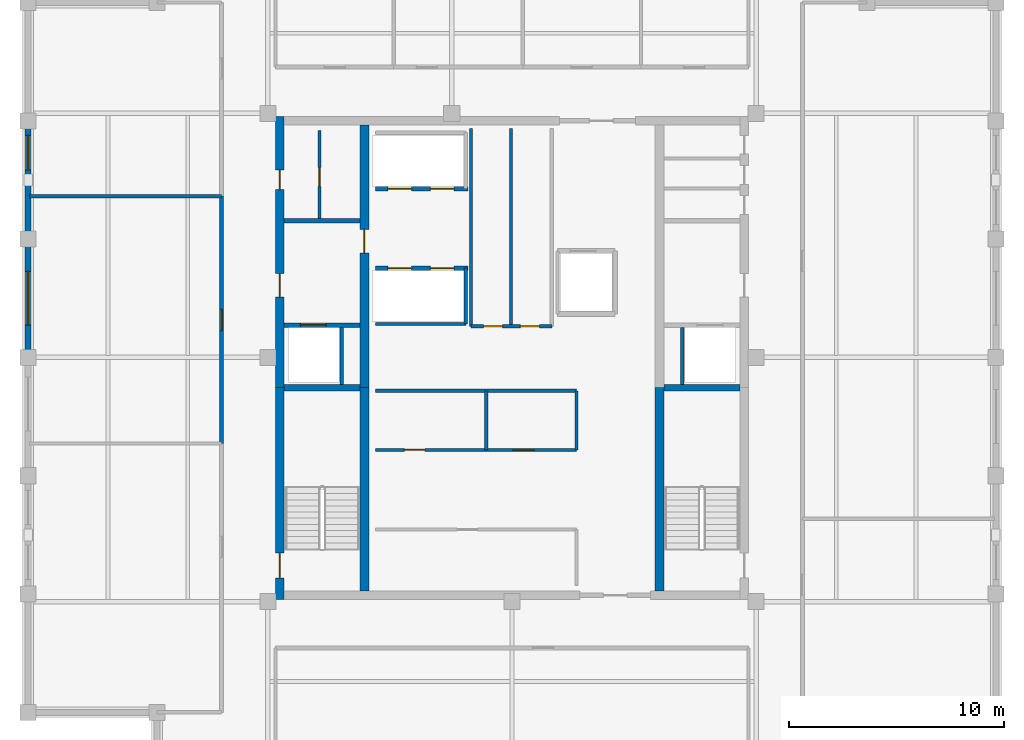
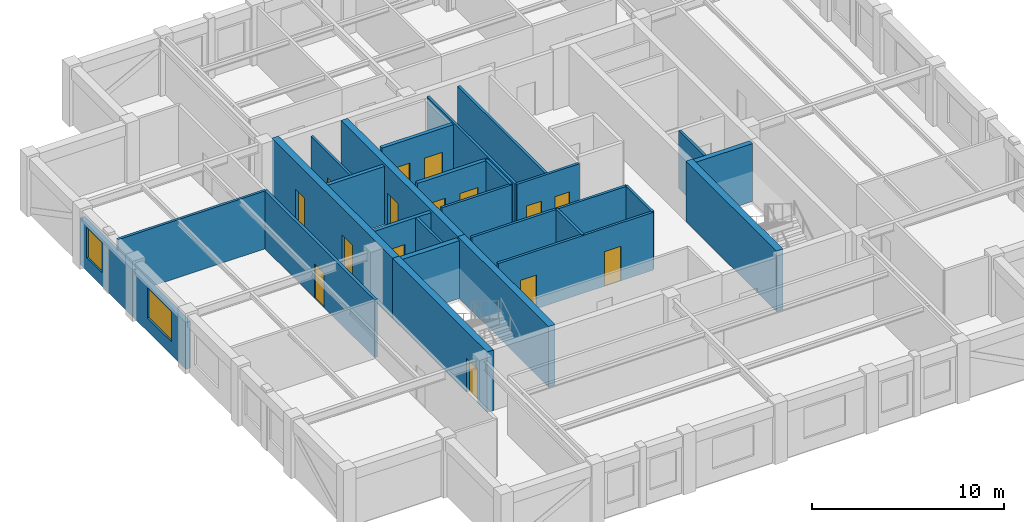
# One storey, part 4 of 7: 27 walls, 15 doors, 2 windows, 17 openings.
"""IFC4 building model written with IfcOpenShell, lengths in metres."""

from ifc_helpers import new_model, si_unit, direction, frame, frame_2d, origin, place, context, subcontext, project, spatial, rectangle, extrude, material, layer, layer_set, type_object, element, fill, save


model = new_model("IFC4")

# Units and contexts
model_context = context("Model", 3, precision=1e-05, world=origin(), true_north=direction((0.0, 1.0)))
body_context = subcontext(model_context, "Body", "Model", "MODEL_VIEW")
ifc_project = project(units=[si_unit("LENGTHUNIT", "METRE"), si_unit("AREAUNIT", "SQUARE_METRE"), si_unit("VOLUMEUNIT", "CUBIC_METRE"), si_unit("PLANEANGLEUNIT", "RADIAN"), si_unit("MASSUNIT", "GRAM", prefix="KILO")], contexts=[model_context])

# Site, building, storey
site_placement = place(None, origin())
site = spatial("IfcSite", under=ifc_project, at=site_placement, CompositionType="ELEMENT")
building_placement = place(site_placement, origin())
building = spatial("IfcBuilding", under=site, at=building_placement, Name="Nhamokura Convention Tower", CompositionType="ELEMENT")
storey_placement = place(building_placement, frame((0.0, 0.0, 281.39990234375)))
storey = spatial("IfcBuildingStorey", under=building, at=storey_placement, Name="L69", CompositionType="ELEMENT", Elevation=281.39990234375)

# Wall, opening, door
ifc_material_1 = material(Name="Moisture-resistant tile-backer partition", Category="masonry")
ifc_layer_1 = layer(ifc_material_1, 0.139892578125)
ifc_layer_set_1 = layer_set([ifc_layer_1], Name="BathroomWetWall_140")
wall_type_1 = type_object("IfcWallType", Name="BathroomWetWall_140", PredefinedType="STANDARD", material=ifc_layer_set_1)
wall_1_placement = place(storey_placement, frame((23.050048828125, 38.449951171875, 0.0), z_axis=(0.0, 0.0, 1.0), x_axis=(0.0, 1.0, 0.0)))
wall_1 = element("IfcWall", 1, at=wall_1_placement, inside=storey, type_object=wall_type_1, Name="L69 Wall INT-L69-CWNWV", PredefinedType="STANDARD", context=body_context, shape_type="SweptSolid", body=[
    extrude(rectangle(XDim=4.10009765625, YDim=0.139892578125, at=frame_2d((2.050048828125, 0.0))), origin(), (0.0, 0.0, 1.0), 3.68505859375),
])
opening_1_placement = place(wall_1_placement, frame((1.5, 0.0, 0.0)))
opening_1 = element("IfcOpeningElement", 2, at=opening_1_placement, cuts=wall_1, Name="Opening D-11", PredefinedType="OPENING", context=body_context, shape_type="SweptSolid", body=[
    extrude(rectangle(XDim=0.8798828125, YDim=2.10009765625, at=frame_2d((0.43994140625, 1.050048828125))), frame((0.0, 0.079833984375, 0.0), z_axis=(0.0, -1.0, 0.0), x_axis=(1.0, 0.0, 0.0)), (0.0, 0.0, 1.0), 0.159912109375),
])
ifc_material_2 = material(Name="Solid oak hardwood", Category="wood")
door_type_1 = type_object("IfcDoorType", Name="BathroomDoor_880", OperationType="NOTDEFINED", PredefinedType="DOOR", material=ifc_material_2)
door_1_placement = place(opening_1_placement, origin())
door_1 = element("IfcDoor", 3, at=door_1_placement, inside=storey, type_object=door_type_1, Name="L69 Inner Store Door", OperationType="SINGLE_SWING_LEFT", OverallHeight=2.10009765625, OverallWidth=0.8798828125, PredefinedType="DOOR", context=body_context, shape_type="SweptSolid", body=[
    extrude(rectangle(XDim=0.8798828125, YDim=2.10009765625, at=frame_2d((0.43994140625, 1.050048828125))), frame((0.0, 0.02490234375, 0.0), z_axis=(0.0, -1.0, 0.0), x_axis=(1.0, 0.0, 0.0)), (0.0, 0.0, 1.0), 0.050048828125),
])
fill(opening_1, door_1)

# Wall, opening, window
ifc_material_3 = material(Name="Bronze-pigmented precast concrete C45/55", Category="concrete")
ifc_layer_2 = layer(ifc_material_3, 0.280029296875)
ifc_layer_set_2 = layer_set([ifc_layer_2], Name="BronzePrecastSpandrel_280")
wall_type_2 = type_object("IfcWallType", Name="BronzePrecastSpandrel_280", PredefinedType="USERDEFINED", material=ifc_layer_set_2)
wall_2_placement = place(storey_placement, frame((9.5, 32.0, 0.0), z_axis=(0.0, 0.0, 1.0), x_axis=(0.0, 1.0, 0.0)))
wall_2 = element("IfcWall", 4, at=wall_2_placement, inside=storey, type_object=wall_type_2, Name="L69 Masonry-Frame Wall WEST 3", ObjectType="SPANDREL_WALL", PredefinedType="USERDEFINED", context=body_context, shape_type="SweptSolid", body=[
    extrude(rectangle(XDim=5.5, YDim=0.280029296875, at=frame_2d((2.75, 0.0))), origin(), (0.0, 0.0, 1.0), 2.985107421875),
])
opening_2_placement = place(wall_2_placement, frame((1.5, 0.0, 0.85009765625)))
opening_2 = element("IfcOpeningElement", 5, at=opening_2_placement, cuts=wall_2, Name="Opening W-09", PredefinedType="OPENING", context=body_context, shape_type="SweptSolid", body=[
    extrude(rectangle(XDim=2.5, YDim=1.93505859375, at=frame_2d((1.25, 0.967529296875))), frame((0.0, 0.14990234375, 0.0), z_axis=(0.0, -1.0, 0.0), x_axis=(1.0, 0.0, 0.0)), (0.0, 0.0, 1.0), 0.300048828125),
])
ifc_material_4 = material(Name="Solar-control bronze low-E double glass", Category="glass")
window_type_1 = type_object("IfcWindowType", Name="SummitWindow_Z4_2500", PartitioningType="DOUBLE_PANEL_VERTICAL", PredefinedType="WINDOW", material=ifc_material_4)
window_1_placement = place(opening_2_placement, origin())
window_1 = element("IfcWindow", 6, at=window_1_placement, inside=storey, type_object=window_type_1, Name="L69 Facade Window WEST 3", OverallHeight=1.93505859375, OverallWidth=2.5, PartitioningType="SINGLE_PANEL", PredefinedType="WINDOW", context=body_context, shape_type="SweptSolid", body=[
    extrude(rectangle(XDim=2.5, YDim=1.93505859375, at=frame_2d((1.25, 0.967529296875))), frame((0.0, 0.030029296875, 0.0), z_axis=(0.0, -1.0, 0.0), x_axis=(1.0, 0.0, 0.0)), (0.0, 0.0, 1.0), 0.06005859375),
])
fill(opening_2, window_1)

wall_3_placement = place(storey_placement, frame((9.5, 37.5, 0.0), z_axis=(0.0, 0.0, 1.0), x_axis=(0.0, 1.0, 0.0)))
wall_3 = element("IfcWall", 7, at=wall_3_placement, inside=storey, type_object=wall_type_2, Name="L69 Masonry-Frame Wall WEST 4", ObjectType="SPANDREL_WALL", PredefinedType="USERDEFINED", context=body_context, shape_type="SweptSolid", body=[
    extrude(rectangle(XDim=5.5, YDim=0.280029296875, at=frame_2d((2.75, 0.0))), origin(), (0.0, 0.0, 1.0), 2.985107421875),
])
opening_3_placement = place(wall_3_placement, frame((3.22509765625, 0.0, 0.85009765625)))
opening_3 = element("IfcOpeningElement", 8, at=opening_3_placement, cuts=wall_3, Name="Opening W-11", PredefinedType="OPENING", context=body_context, shape_type="SweptSolid", body=[
    extrude(rectangle(XDim=1.60009765625, YDim=1.93505859375, at=frame_2d((0.800048828125, 0.967529296875))), frame((0.0, 0.14990234375, 0.0), z_axis=(0.0, -1.0, 0.0), x_axis=(1.0, 0.0, 0.0)), (0.0, 0.0, 1.0), 0.300048828125),
])
ifc_material_5 = material(Name="Solar-control bronze low-E double glass", Category="glass")
window_type_2 = type_object("IfcWindowType", Name="NotchCornerWindow_1600", PartitioningType="SINGLE_PANEL", PredefinedType="WINDOW", material=ifc_material_5)
window_2_placement = place(opening_3_placement, origin())
window_2 = element("IfcWindow", 9, at=window_2_placement, inside=storey, type_object=window_type_2, Name="L69 Facade Window WEST 4-2", OverallHeight=1.93505859375, OverallWidth=1.60009765625, PartitioningType="SINGLE_PANEL", PredefinedType="WINDOW", context=body_context, shape_type="SweptSolid", body=[
    extrude(rectangle(XDim=1.60009765625, YDim=1.93505859375, at=frame_2d((0.800048828125, 0.967529296875))), frame((0.0, 0.030029296875, 0.0), z_axis=(0.0, -1.0, 0.0), x_axis=(1.0, 0.0, 0.0)), (0.0, 0.0, 1.0), 0.06005859375),
])
fill(opening_3, window_2)

# Wall, opening, door
ifc_material_6 = material(Name="Concrete C50/60", Category="concrete")
ifc_layer_3 = layer(ifc_material_6, 0.39990234375)
ifc_layer_set_3 = layer_set([ifc_layer_3], Name="CoreShearWall_400")
wall_type_3 = type_object("IfcWallType", Name="CoreShearWall_400", PredefinedType="SHEAR", material=ifc_layer_set_3)
wall_4_placement = place(storey_placement, frame((21.2099609375, 20.75, 0.0), z_axis=(0.0, 0.0, 1.0), x_axis=(0.0, 1.0, 0.0)))
wall_4 = element("IfcWall", 10, at=wall_4_placement, inside=storey, type_object=wall_type_3, Name="L69 Core Shear Wall CW-WS", PredefinedType="SHEAR", context=body_context, shape_type="SweptSolid", body=[
    extrude(rectangle(XDim=9.85009765625, YDim=0.39990234375, at=frame_2d((4.925048828125, 0.0))), origin(), (0.0, 0.0, 1.0), 3.85009765625),
])
opening_4_placement = place(wall_4_placement, frame((1.0, 0.0, 0.0)))
opening_4 = element("IfcOpeningElement", 11, at=opening_4_placement, cuts=wall_4, Name="Opening D-04", PredefinedType="OPENING", context=body_context, shape_type="SweptSolid", body=[
    extrude(rectangle(XDim=1.14990234375, YDim=2.14990234375, at=frame_2d((0.574951171875, 1.074951171875))), frame((0.0, 0.2099609375, 0.0), z_axis=(0.0, -1.0, 0.0), x_axis=(1.0, 0.0, 0.0)), (0.0, 0.0, 1.0), 0.419921875),
])
ifc_material_7 = material(Name="Fire-rated steel door", Category="steel")
door_type_2 = type_object("IfcDoorType", Name="StairSmokeDoor_1150", OperationType="NOTDEFINED", PredefinedType="DOOR", material=ifc_material_7)
door_2_placement = place(opening_4_placement, origin())
door_2 = element("IfcDoor", 12, at=door_2_placement, inside=storey, type_object=door_type_2, Name="L69 Core Door INT-L69-D-ST01", OperationType="SINGLE_SWING_LEFT", OverallHeight=2.14990234375, OverallWidth=1.14990234375, PredefinedType="DOOR", context=body_context, shape_type="SweptSolid", body=[
    extrude(rectangle(XDim=1.14990234375, YDim=2.14990234375, at=frame_2d((0.574951171875, 1.074951171875))), frame((0.0, 0.02490234375, 0.0), z_axis=(0.0, -1.0, 0.0), x_axis=(1.0, 0.0, 0.0)), (0.0, 0.0, 1.0), 0.050048828125),
])
fill(opening_4, door_2)

# Wall, openings, doors
wall_5_placement = place(storey_placement, frame((21.2099609375, 30.60009765625, 0.0), z_axis=(0.0, 0.0, 1.0), x_axis=(0.0, 1.0, 0.0)))
wall_5 = element("IfcWall", 13, at=wall_5_placement, inside=storey, type_object=wall_type_3, Name="L69 Core Shear Wall CW-WN", PredefinedType="SHEAR", context=body_context, shape_type="SweptSolid", body=[
    extrude(rectangle(XDim=12.599853515625, YDim=0.39990234375, at=frame_2d((6.2998046875, 0.0))), origin(), (0.0, 0.0, 1.0), 3.85009765625),
])
opening_5_placement = place(wall_5_placement, frame((4.199951171875, 0.0, 0.0)))
opening_5 = element("IfcOpeningElement", 14, at=opening_5_placement, cuts=wall_5, Name="Opening D-05", PredefinedType="OPENING", context=body_context, shape_type="SweptSolid", body=[
    extrude(rectangle(XDim=1.10009765625, YDim=2.14990234375, at=frame_2d((0.550048828125, 1.074951171875))), frame((0.0, 0.2099609375, 0.0), z_axis=(0.0, -1.0, 0.0), x_axis=(1.0, 0.0, 0.0)), (0.0, 0.0, 1.0), 0.419921875),
])
opening_6_placement = place(wall_5_placement, frame((9.199951171875, 0.0, 0.0)))
opening_6 = element("IfcOpeningElement", 15, at=opening_6_placement, cuts=wall_5, Name="Opening D-10", PredefinedType="OPENING", context=body_context, shape_type="SweptSolid", body=[
    extrude(rectangle(XDim=0.919921875, YDim=2.10009765625, at=frame_2d((0.4599609375, 1.050048828125))), frame((0.0, 0.2099609375, 0.0), z_axis=(0.0, -1.0, 0.0), x_axis=(1.0, 0.0, 0.0)), (0.0, 0.0, 1.0), 0.419921875),
])
ifc_material_8 = material(Name="Solid oak hardwood", Category="wood")
door_type_3 = type_object("IfcDoorType", Name="AccessibleWCDoor_920", OperationType="NOTDEFINED", PredefinedType="DOOR", material=ifc_material_8)
door_3_placement = place(opening_6_placement, origin())
door_3 = element("IfcDoor", 16, at=door_3_placement, inside=storey, type_object=door_type_3, Name="L69 Core Door INT-L69-D-AWCW", OperationType="SINGLE_SWING_RIGHT", OverallHeight=2.10009765625, OverallWidth=0.919921875, PredefinedType="DOOR", context=body_context, shape_type="SweptSolid", body=[
    extrude(rectangle(XDim=0.919921875, YDim=2.10009765625, at=frame_2d((0.4599609375, 1.050048828125))), frame((0.0, 0.02490234375, 0.0), z_axis=(0.0, -1.0, 0.0), x_axis=(1.0, 0.0, 0.0)), (0.0, 0.0, 1.0), 0.050048828125),
])
fill(opening_6, door_3)
ifc_material_9 = material(Name="Fire-rated steel door", Category="steel")
door_type_4 = type_object("IfcDoorType", Name="FireLobbyDoor_1100", OperationType="NOTDEFINED", PredefinedType="DOOR", material=ifc_material_9)
door_4_placement = place(opening_5_placement, origin())
door_4 = element("IfcDoor", 17, at=door_4_placement, inside=storey, type_object=door_type_4, Name="L69 Core Door INT-L69-D-FFLW", OperationType="SINGLE_SWING_RIGHT", OverallHeight=2.14990234375, OverallWidth=1.10009765625, PredefinedType="DOOR", context=body_context, shape_type="SweptSolid", body=[
    extrude(rectangle(XDim=1.10009765625, YDim=2.14990234375, at=frame_2d((0.550048828125, 1.074951171875))), frame((0.0, 0.02490234375, 0.0), z_axis=(0.0, -1.0, 0.0), x_axis=(1.0, 0.0, 0.0)), (0.0, 0.0, 1.0), 0.050048828125),
])
fill(opening_5, door_4)

# Wall
wall_6_placement = place(storey_placement, frame((25.139892578125, 21.14990234375, 0.0), z_axis=(0.0, 0.0, 1.0), x_axis=(0.0, 1.0, 0.0)))
element("IfcWall", 18, at=wall_6_placement, inside=storey, type_object=wall_type_3, Name="L69 Core Shear Wall CW-IWS", PredefinedType="SHEAR", context=body_context, shape_type="SweptSolid", body=[
    extrude(rectangle(XDim=9.4501953125, YDim=0.39990234375, at=frame_2d((4.72509765625, 0.0))), origin(), (0.0, 0.0, 1.0), 3.85009765625),
])

# Wall, opening, door
wall_7_placement = place(storey_placement, frame((25.139892578125, 30.60009765625, 0.0), z_axis=(0.0, 0.0, 1.0), x_axis=(0.0, 1.0, 0.0)))
wall_7 = element("IfcWall", 19, at=wall_7_placement, inside=storey, type_object=wall_type_3, Name="L69 Core Shear Wall CW-IWN", PredefinedType="SHEAR", context=body_context, shape_type="SweptSolid", body=[
    extrude(rectangle(XDim=12.199951171875, YDim=0.39990234375, at=frame_2d((6.10009765625, 0.0))), origin(), (0.0, 0.0, 1.0), 3.85009765625),
])
opening_7_placement = place(wall_7_placement, frame((6.25, 0.0, 0.0)))
opening_7 = element("IfcOpeningElement", 20, at=opening_7_placement, cuts=wall_7, Name="Opening D-05", PredefinedType="OPENING", context=body_context, shape_type="SweptSolid", body=[
    extrude(rectangle(XDim=1.10009765625, YDim=2.14990234375, at=frame_2d((0.550048828125, 1.074951171875))), frame((0.0, 0.2099609375, 0.0), z_axis=(0.0, -1.0, 0.0), x_axis=(1.0, 0.0, 0.0)), (0.0, 0.0, 1.0), 0.419921875),
])
door_5_placement = place(opening_7_placement, origin())
door_5 = element("IfcDoor", 21, at=door_5_placement, inside=storey, type_object=door_type_4, Name="L69 Core Door INT-L69-D-B3LOB", OperationType="SINGLE_SWING_LEFT", OverallHeight=2.14990234375, OverallWidth=1.10009765625, PredefinedType="DOOR", context=body_context, shape_type="SweptSolid", body=[
    extrude(rectangle(XDim=1.10009765625, YDim=2.14990234375, at=frame_2d((0.550048828125, 1.074951171875))), frame((0.0, 0.02490234375, 0.0), z_axis=(0.0, -1.0, 0.0), x_axis=(1.0, 0.0, 0.0)), (0.0, 0.0, 1.0), 0.050048828125),
])
fill(opening_7, door_5)

# Wall
wall_8_placement = place(storey_placement, frame((38.860107421875, 21.14990234375, 0.0), z_axis=(0.0, 0.0, 1.0), x_axis=(0.0, 1.0, 0.0)))
element("IfcWall", 22, at=wall_8_placement, inside=storey, type_object=wall_type_3, Name="L69 Core Shear Wall CW-IES", PredefinedType="SHEAR", context=body_context, shape_type="SweptSolid", body=[
    extrude(rectangle(XDim=9.4501953125, YDim=0.39990234375, at=frame_2d((4.72509765625, 0.0))), origin(), (0.0, 0.0, 1.0), 3.85009765625),
])

# Wall, opening, door
ifc_material_10 = material(Name="Fire-rated gypsum and masonry partition", Category="masonry")
ifc_layer_4 = layer(ifc_material_10, 0.179931640625)
ifc_layer_set_4 = layer_set([ifc_layer_4], Name="CorridorRatedWall_180")
wall_type_4 = type_object("IfcWallType", Name="CorridorRatedWall_180", PredefinedType="STANDARD", material=ifc_layer_set_4)
wall_9_placement = place(storey_placement, frame((18.5, 28.0, 0.0), z_axis=(0.0, 0.0, 1.0), x_axis=(0.0, 1.0, 0.0)))
wall_9 = element("IfcWall", 23, at=wall_9_placement, inside=storey, type_object=wall_type_4, Name="L69 Wall INT-L69-CW-W01", PredefinedType="STANDARD", context=body_context, shape_type="SweptSolid", body=[
    extrude(rectangle(XDim=11.5, YDim=0.179931640625, at=frame_2d((5.75, 0.0))), origin(), (0.0, 0.0, 1.0), 3.68505859375),
])
opening_8_placement = place(wall_9_placement, frame((5.25, 0.0, 0.0)))
opening_8 = element("IfcOpeningElement", 24, at=opening_8_placement, cuts=wall_9, Name="Opening D-08", PredefinedType="OPENING", context=body_context, shape_type="SweptSolid", body=[
    extrude(rectangle(XDim=0.97998046875, YDim=2.199951171875, at=frame_2d((0.489990234375, 1.10009765625))), frame((0.0, 0.099853515625, 0.0), z_axis=(0.0, -1.0, 0.0), x_axis=(1.0, 0.0, 0.0)), (0.0, 0.0, 1.0), 0.199951171875),
])
ifc_material_11 = material(Name="Solid oak hardwood", Category="wood")
door_type_5 = type_object("IfcDoorType", Name="OfficeEntryDoor_980", OperationType="NOTDEFINED", PredefinedType="DOOR", material=ifc_material_11)
door_6_placement = place(opening_8_placement, origin())
door_6 = element("IfcDoor", 25, at=door_6_placement, inside=storey, type_object=door_type_5, Name="L69 Private Office W02 Door", OperationType="SINGLE_SWING_RIGHT", OverallHeight=2.199951171875, OverallWidth=0.97998046875, PredefinedType="DOOR", context=body_context, shape_type="SweptSolid", body=[
    extrude(rectangle(XDim=0.97998046875, YDim=2.199951171875, at=frame_2d((0.489990234375, 1.10009765625))), frame((0.0, 0.02490234375, 0.0), z_axis=(0.0, -1.0, 0.0), x_axis=(1.0, 0.0, 0.0)), (0.0, 0.0, 1.0), 0.050048828125),
])
fill(opening_8, door_6)

ifc_material_12 = material(Name="Autoclaved concrete blockwork", Category="masonry")
ifc_layer_5 = layer(ifc_material_12, 0.219970703125)
ifc_layer_set_5 = layer_set([ifc_layer_5], Name="FireLobbyWall_220")
wall_type_5 = type_object("IfcWallType", Name="FireLobbyWall_220", PredefinedType="STANDARD", material=ifc_layer_set_5)
wall_10_placement = place(storey_placement, frame((21.409912109375, 33.5, 0.0), z_axis=(0.0, 0.0, 1.0), x_axis=(1.0, 0.0, 0.0)))
wall_10 = element("IfcWall", 26, at=wall_10_placement, inside=storey, type_object=wall_type_5, Name="L69 Wall INT-L69-FFW-S", PredefinedType="STANDARD", context=body_context, shape_type="SweptSolid", body=[
    extrude(rectangle(XDim=3.530029296875, YDim=0.219970703125, at=frame_2d((1.76513671875, 0.0))), origin(), (0.0, 0.0, 1.0), 3.68505859375),
])
opening_9_placement = place(wall_10_placement, frame((0.75, 0.0, 0.0)))
opening_9 = element("IfcOpeningElement", 27, at=opening_9_placement, cuts=wall_10, Name="Opening LD-02", PredefinedType="OPENING", context=body_context, shape_type="SweptSolid", body=[
    extrude(rectangle(XDim=1.199951171875, YDim=2.199951171875, at=frame_2d((0.60009765625, 1.10009765625))), frame((0.0, 0.119873046875, 0.0), z_axis=(0.0, -1.0, 0.0), x_axis=(1.0, 0.0, 0.0)), (0.0, 0.0, 1.0), 0.239990234375),
])
ifc_material_13 = material(Name="Anodised bronze stainless steel", Category="steel")
door_type_6 = type_object("IfcDoorType", Name="LiftLandingDoor_FireService", OperationType="DOUBLE_DOOR_SLIDING", PredefinedType="DOOR", material=ifc_material_13)
door_7_placement = place(opening_9_placement, origin())
door_7 = element("IfcDoor", 28, at=door_7_placement, inside=storey, type_object=door_type_6, Name="L69 Firefighting Lift LF-01 Door", OperationType="DOUBLE_DOOR_SLIDING", OverallHeight=2.199951171875, OverallWidth=1.199951171875, PredefinedType="DOOR", context=body_context, shape_type="SweptSolid", body=[
    extrude(rectangle(XDim=1.199951171875, YDim=2.199951171875, at=frame_2d((0.60009765625, 1.10009765625))), frame((0.0, 0.02490234375, 0.0), z_axis=(0.0, -1.0, 0.0), x_axis=(1.0, 0.0, 0.0)), (0.0, 0.0, 1.0), 0.050048828125),
])
fill(opening_9, door_7)

# Wall
wall_11_placement = place(storey_placement, frame((21.409912109375, 38.35009765625, 0.0), z_axis=(0.0, 0.0, 1.0), x_axis=(1.0, 0.0, 0.0)))
element("IfcWall", 29, at=wall_11_placement, inside=storey, type_object=wall_type_5, Name="L69 Wall INT-L69-FFW-N", PredefinedType="STANDARD", context=body_context, shape_type="SweptSolid", body=[
    extrude(rectangle(XDim=3.530029296875, YDim=0.219970703125, at=frame_2d((1.76513671875, 0.0))), origin(), (0.0, 0.0, 1.0), 3.68505859375),
])

# Wall, openings, doors
wall_12_placement = place(storey_placement, frame((25.64990234375, 36.14990234375, 0.0), z_axis=(0.0, 0.0, 1.0), x_axis=(1.0, 0.0, 0.0)))
wall_12 = element("IfcWall", 30, at=wall_12_placement, inside=storey, type_object=wall_type_5, Name="L69 Wall INT-L69-B3S", PredefinedType="STANDARD", context=body_context, shape_type="SweptSolid", body=[
    extrude(rectangle(XDim=4.300048828125, YDim=0.219970703125, at=frame_2d((2.14990234375, 0.0))), origin(), (0.0, 0.0, 1.0), 3.68505859375),
])
opening_10_placement = place(wall_12_placement, frame((0.580078125, 0.0, 0.0)))
opening_10 = element("IfcOpeningElement", 31, at=opening_10_placement, cuts=wall_12, Name="Opening LD-01", PredefinedType="OPENING", context=body_context, shape_type="SweptSolid", body=[
    extrude(rectangle(XDim=1.10009765625, YDim=2.14990234375, at=frame_2d((0.550048828125, 1.074951171875))), frame((0.0, 0.119873046875, 0.0), z_axis=(0.0, -1.0, 0.0), x_axis=(1.0, 0.0, 0.0)), (0.0, 0.0, 1.0), 0.239990234375),
])
opening_11_placement = place(wall_12_placement, frame((2.550048828125, 0.0, 0.0)))
opening_11 = element("IfcOpeningElement", 32, at=opening_11_placement, cuts=wall_12, Name="Opening LD-01", PredefinedType="OPENING", context=body_context, shape_type="SweptSolid", body=[
    extrude(rectangle(XDim=1.10009765625, YDim=2.14990234375, at=frame_2d((0.550048828125, 1.074951171875))), frame((0.0, 0.119873046875, 0.0), z_axis=(0.0, -1.0, 0.0), x_axis=(1.0, 0.0, 0.0)), (0.0, 0.0, 1.0), 0.239990234375),
])
ifc_material_14 = material(Name="Anodised bronze stainless steel", Category="steel")
door_type_7 = type_object("IfcDoorType", Name="LiftLandingDoor_Passenger", OperationType="DOUBLE_DOOR_SLIDING", PredefinedType="DOOR", material=ifc_material_14)
door_8_placement = place(opening_10_placement, origin())
door_8 = element("IfcDoor", 33, at=door_8_placement, inside=storey, type_object=door_type_7, Name="L69 Lift LP-09 Door", OperationType="DOUBLE_DOOR_SLIDING", OverallHeight=2.14990234375, OverallWidth=1.10009765625, PredefinedType="DOOR", context=body_context, shape_type="SweptSolid", body=[
    extrude(rectangle(XDim=1.10009765625, YDim=2.14990234375, at=frame_2d((0.550048828125, 1.074951171875))), frame((0.0, 0.02490234375, 0.0), z_axis=(0.0, -1.0, 0.0), x_axis=(1.0, 0.0, 0.0)), (0.0, 0.0, 1.0), 0.050048828125),
])
fill(opening_10, door_8)
door_9_placement = place(opening_11_placement, origin())
door_9 = element("IfcDoor", 34, at=door_9_placement, inside=storey, type_object=door_type_7, Name="L69 Lift LP-10 Door", OperationType="DOUBLE_DOOR_SLIDING", OverallHeight=2.14990234375, OverallWidth=1.10009765625, PredefinedType="DOOR", context=body_context, shape_type="SweptSolid", body=[
    extrude(rectangle(XDim=1.10009765625, YDim=2.14990234375, at=frame_2d((0.550048828125, 1.074951171875))), frame((0.0, 0.02490234375, 0.0), z_axis=(0.0, -1.0, 0.0), x_axis=(1.0, 0.0, 0.0)), (0.0, 0.0, 1.0), 0.050048828125),
])
fill(opening_11, door_9)

wall_13_placement = place(storey_placement, frame((25.64990234375, 39.85009765625, 0.0), z_axis=(0.0, 0.0, 1.0), x_axis=(1.0, 0.0, 0.0)))
wall_13 = element("IfcWall", 35, at=wall_13_placement, inside=storey, type_object=wall_type_5, Name="L69 Wall INT-L69-B3N", PredefinedType="STANDARD", context=body_context, shape_type="SweptSolid", body=[
    extrude(rectangle(XDim=4.300048828125, YDim=0.219970703125, at=frame_2d((2.14990234375, 0.0))), origin(), (0.0, 0.0, 1.0), 3.68505859375),
])
opening_12_placement = place(wall_13_placement, frame((0.580078125, 0.0, 0.0)))
opening_12 = element("IfcOpeningElement", 36, at=opening_12_placement, cuts=wall_13, Name="Opening LD-01", PredefinedType="OPENING", context=body_context, shape_type="SweptSolid", body=[
    extrude(rectangle(XDim=1.10009765625, YDim=2.14990234375, at=frame_2d((0.550048828125, 1.074951171875))), frame((0.0, 0.119873046875, 0.0), z_axis=(0.0, -1.0, 0.0), x_axis=(1.0, 0.0, 0.0)), (0.0, 0.0, 1.0), 0.239990234375),
])
opening_13_placement = place(wall_13_placement, frame((2.550048828125, 0.0, 0.0)))
opening_13 = element("IfcOpeningElement", 37, at=opening_13_placement, cuts=wall_13, Name="Opening LD-01", PredefinedType="OPENING", context=body_context, shape_type="SweptSolid", body=[
    extrude(rectangle(XDim=1.10009765625, YDim=2.14990234375, at=frame_2d((0.550048828125, 1.074951171875))), frame((0.0, 0.119873046875, 0.0), z_axis=(0.0, -1.0, 0.0), x_axis=(1.0, 0.0, 0.0)), (0.0, 0.0, 1.0), 0.239990234375),
])
door_10_placement = place(opening_12_placement, origin())
door_10 = element("IfcDoor", 38, at=door_10_placement, inside=storey, type_object=door_type_7, Name="L69 Lift LP-11 Door", OperationType="DOUBLE_DOOR_SLIDING", OverallHeight=2.14990234375, OverallWidth=1.10009765625, PredefinedType="DOOR", context=body_context, shape_type="SweptSolid", body=[
    extrude(rectangle(XDim=1.10009765625, YDim=2.14990234375, at=frame_2d((0.550048828125, 1.074951171875))), frame((0.0, 0.02490234375, 0.0), z_axis=(0.0, -1.0, 0.0), x_axis=(1.0, 0.0, 0.0)), (0.0, 0.0, 1.0), 0.050048828125),
])
fill(opening_12, door_10)
door_11_placement = place(opening_13_placement, origin())
door_11 = element("IfcDoor", 39, at=door_11_placement, inside=storey, type_object=door_type_7, Name="L69 Lift LP-12 Door", OperationType="DOUBLE_DOOR_SLIDING", OverallHeight=2.14990234375, OverallWidth=1.10009765625, PredefinedType="DOOR", context=body_context, shape_type="SweptSolid", body=[
    extrude(rectangle(XDim=1.10009765625, YDim=2.14990234375, at=frame_2d((0.550048828125, 1.074951171875))), frame((0.0, 0.02490234375, 0.0), z_axis=(0.0, -1.0, 0.0), x_axis=(1.0, 0.0, 0.0)), (0.0, 0.0, 1.0), 0.050048828125),
])
fill(opening_13, door_11)

# Walls
ifc_material_15 = material(Name="Acoustic gypsum stud partition", Category="masonry")
ifc_layer_6 = layer(ifc_material_15, 0.14990234375)
ifc_layer_set_6 = layer_set([ifc_layer_6], Name="InteriorPartition_150")
wall_type_6 = type_object("IfcWallType", Name="InteriorPartition_150", PredefinedType="STANDARD", material=ifc_layer_set_6)
for number, where, z_axis, x_axis, name in (
    (40, (24.080078125, 30.75, 0.0), (0.0, 0.0, 1.0), (0.0, 1.0, 0.0), "L69 Wall INT-L69-FF1-E"),
    (41, (39.919921875, 30.75, 0.0), (0.0, 0.0, 1.0), (0.0, 1.0, 0.0), "L69 Wall INT-L69-FF2-W"),
):
    element("IfcWall", number, at=place(storey_placement, frame(where, z_axis=z_axis, x_axis=x_axis)), inside=storey, type_object=wall_type_6, Name=name, PredefinedType="STANDARD", context=body_context, shape_type="SweptSolid", body=[
        extrude(rectangle(XDim=2.64990234375, YDim=0.14990234375, at=frame_2d((1.324951171875, 0.0))), origin(), (0.0, 0.0, 1.0), 3.68505859375),
    ])

# Wall, openings, doors
wall_14_placement = place(storey_placement, frame((25.64990234375, 27.699951171875, 0.0), z_axis=(0.0, 0.0, 1.0), x_axis=(1.0, 0.0, 0.0)))
wall_14 = element("IfcWall", 42, at=wall_14_placement, inside=storey, type_object=wall_type_6, Name="L69 Wall INT-L69-B2R-S", PredefinedType="STANDARD", context=body_context, shape_type="SweptSolid", body=[
    extrude(rectangle(XDim=9.35009765625, YDim=0.14990234375, at=frame_2d((4.675048828125, 0.0))), origin(), (0.0, 0.0, 1.0), 3.68505859375),
])
opening_14_placement = place(wall_14_placement, frame((1.35009765625, 0.0, 0.0)))
opening_14 = element("IfcOpeningElement", 43, at=opening_14_placement, cuts=wall_14, Name="Opening D-09", PredefinedType="OPENING", context=body_context, shape_type="SweptSolid", body=[
    extrude(rectangle(XDim=0.949951171875, YDim=2.14990234375, at=frame_2d((0.47509765625, 1.074951171875))), frame((0.0, 0.0849609375, 0.0), z_axis=(0.0, -1.0, 0.0), x_axis=(1.0, 0.0, 0.0)), (0.0, 0.0, 1.0), 0.169921875),
])
opening_15_placement = place(wall_14_placement, frame((6.39990234375, 0.0, 0.0)))
opening_15 = element("IfcOpeningElement", 44, at=opening_15_placement, cuts=wall_14, Name="Opening D-08", PredefinedType="OPENING", context=body_context, shape_type="SweptSolid", body=[
    extrude(rectangle(XDim=0.97998046875, YDim=2.199951171875, at=frame_2d((0.489990234375, 1.10009765625))), frame((0.0, 0.0849609375, 0.0), z_axis=(0.0, -1.0, 0.0), x_axis=(1.0, 0.0, 0.0)), (0.0, 0.0, 1.0), 0.169921875),
])
ifc_material_16 = material(Name="Solid oak hardwood", Category="wood")
door_type_8 = type_object("IfcDoorType", Name="MeetingRoomDoor_950", OperationType="NOTDEFINED", PredefinedType="DOOR", material=ifc_material_16)
door_12_placement = place(opening_14_placement, origin())
door_12 = element("IfcDoor", 45, at=door_12_placement, inside=storey, type_object=door_type_8, Name="L69 Caucus Suite Door", OperationType="SINGLE_SWING_RIGHT", OverallHeight=2.14990234375, OverallWidth=0.949951171875, PredefinedType="DOOR", context=body_context, shape_type="SweptSolid", body=[
    extrude(rectangle(XDim=0.949951171875, YDim=2.14990234375, at=frame_2d((0.47509765625, 1.074951171875))), frame((0.0, 0.02490234375, 0.0), z_axis=(0.0, -1.0, 0.0), x_axis=(1.0, 0.0, 0.0)), (0.0, 0.0, 1.0), 0.050048828125),
])
fill(opening_14, door_12)
door_13_placement = place(opening_15_placement, origin())
door_13 = element("IfcDoor", 46, at=door_13_placement, inside=storey, type_object=door_type_5, Name="L69 Summit Pantry Door", OperationType="SINGLE_SWING_LEFT", OverallHeight=2.199951171875, OverallWidth=0.97998046875, PredefinedType="DOOR", context=body_context, shape_type="SweptSolid", body=[
    extrude(rectangle(XDim=0.97998046875, YDim=2.199951171875, at=frame_2d((0.489990234375, 1.10009765625))), frame((0.0, 0.02490234375, 0.0), z_axis=(0.0, -1.0, 0.0), x_axis=(1.0, 0.0, 0.0)), (0.0, 0.0, 1.0), 0.050048828125),
])
fill(opening_15, door_13)

# Walls
wall_15_placement = place(storey_placement, frame((25.64990234375, 30.449951171875, 0.0), z_axis=(0.0, 0.0, 1.0), x_axis=(1.0, 0.0, 0.0)))
element("IfcWall", 47, at=wall_15_placement, inside=storey, type_object=wall_type_6, Name="L69 Wall INT-L69-B2R-N", PredefinedType="STANDARD", context=body_context, shape_type="SweptSolid", body=[
    extrude(rectangle(XDim=9.35009765625, YDim=0.14990234375, at=frame_2d((4.675048828125, 0.0))), origin(), (0.0, 0.0, 1.0), 3.68505859375),
])
for number, where, z_axis, x_axis, name in (
    (48, (30.800048828125, 27.699951171875, 0.0), (0.0, 0.0, 1.0), (0.0, 1.0, 0.0), "L69 Wall INT-L69-B2R-M"),
    (49, (35.0, 27.699951171875, 0.0), (0.0, 0.0, 1.0), (0.0, 1.0, 0.0), "L69 Wall INT-L69-B2R-E"),
):
    element("IfcWall", number, at=place(storey_placement, frame(where, z_axis=z_axis, x_axis=x_axis)), inside=storey, type_object=wall_type_6, Name=name, PredefinedType="STANDARD", context=body_context, shape_type="SweptSolid", body=[
        extrude(rectangle(XDim=2.75, YDim=0.14990234375, at=frame_2d((1.375, 0.0))), origin(), (0.0, 0.0, 1.0), 3.68505859375),
    ])
wall_16_placement = place(storey_placement, frame((25.64990234375, 33.550048828125, 0.0), z_axis=(0.0, 0.0, 1.0), x_axis=(1.0, 0.0, 0.0)))
element("IfcWall", 50, at=wall_16_placement, inside=storey, type_object=wall_type_6, Name="L69 Wall INT-L69-B3A-S", PredefinedType="STANDARD", context=body_context, shape_type="SweptSolid", body=[
    extrude(rectangle(XDim=4.2001953125, YDim=0.14990234375, at=frame_2d((2.10009765625, 0.0))), origin(), (0.0, 0.0, 1.0), 3.68505859375),
])
wall_17_placement = place(storey_placement, frame((29.85009765625, 33.550048828125, 0.0), z_axis=(0.0, 0.0, 1.0), x_axis=(0.0, 1.0, 0.0)))
element("IfcWall", 51, at=wall_17_placement, inside=storey, type_object=wall_type_6, Name="L69 Wall INT-L69-B3A-E", PredefinedType="STANDARD", context=body_context, shape_type="SweptSolid", body=[
    extrude(rectangle(XDim=2.599853515625, YDim=0.14990234375, at=frame_2d((1.2998046875, 0.0))), origin(), (0.0, 0.0, 1.0), 3.68505859375),
])
for number, where, z_axis, x_axis, name in (
    (52, (30.10009765625, 33.449951171875, 0.0), (0.0, 0.0, 1.0), (0.0, 1.0, 0.0), "L69 Wall INT-L69-ST03W"),
    (53, (31.949951171875, 33.449951171875, 0.0), (0.0, 0.0, 1.0), (0.0, 1.0, 0.0), "L69 Wall INT-L69-ST03M"),
):
    element("IfcWall", number, at=place(storey_placement, frame(where, z_axis=z_axis, x_axis=x_axis)), inside=storey, type_object=wall_type_6, Name=name, PredefinedType="STANDARD", context=body_context, shape_type="SweptSolid", body=[
        extrude(rectangle(XDim=9.199951171875, YDim=0.14990234375, at=frame_2d((4.60009765625, 0.0))), origin(), (0.0, 0.0, 1.0), 3.68505859375),
    ])

# Wall, openings, doors
wall_18_placement = place(storey_placement, frame((30.10009765625, 33.449951171875, 0.0), z_axis=(0.0, 0.0, 1.0), x_axis=(1.0, 0.0, 0.0)))
wall_18 = element("IfcWall", 54, at=wall_18_placement, inside=storey, type_object=wall_type_6, Name="L69 Wall INT-L69-ST03S", PredefinedType="STANDARD", context=body_context, shape_type="SweptSolid", body=[
    extrude(rectangle(XDim=3.75, YDim=0.14990234375, at=frame_2d((1.875, 0.0))), origin(), (0.0, 0.0, 1.0), 3.68505859375),
])
opening_16_placement = place(wall_18_placement, frame((0.580078125, 0.0, 0.0)))
opening_16 = element("IfcOpeningElement", 55, at=opening_16_placement, cuts=wall_18, Name="Opening D-11", PredefinedType="OPENING", context=body_context, shape_type="SweptSolid", body=[
    extrude(rectangle(XDim=0.8798828125, YDim=2.10009765625, at=frame_2d((0.43994140625, 1.050048828125))), frame((0.0, 0.0849609375, 0.0), z_axis=(0.0, -1.0, 0.0), x_axis=(1.0, 0.0, 0.0)), (0.0, 0.0, 1.0), 0.169921875),
])
opening_17_placement = place(wall_18_placement, frame((2.2900390625, 0.0, 0.0)))
opening_17 = element("IfcOpeningElement", 56, at=opening_17_placement, cuts=wall_18, Name="Opening D-11", PredefinedType="OPENING", context=body_context, shape_type="SweptSolid", body=[
    extrude(rectangle(XDim=0.8798828125, YDim=2.10009765625, at=frame_2d((0.43994140625, 1.050048828125))), frame((0.0, 0.0849609375, 0.0), z_axis=(0.0, -1.0, 0.0), x_axis=(1.0, 0.0, 0.0)), (0.0, 0.0, 1.0), 0.169921875),
])
door_14_placement = place(opening_16_placement, origin())
door_14 = element("IfcDoor", 57, at=door_14_placement, inside=storey, type_object=door_type_1, Name="L69 Wellness Suite Door", OperationType="SINGLE_SWING_LEFT", OverallHeight=2.10009765625, OverallWidth=0.8798828125, PredefinedType="DOOR", context=body_context, shape_type="SweptSolid", body=[
    extrude(rectangle(XDim=0.8798828125, YDim=2.10009765625, at=frame_2d((0.43994140625, 1.050048828125))), frame((0.0, 0.02490234375, 0.0), z_axis=(0.0, -1.0, 0.0), x_axis=(1.0, 0.0, 0.0)), (0.0, 0.0, 1.0), 0.050048828125),
])
fill(opening_16, door_14)
door_15_placement = place(opening_17_placement, origin())
door_15 = element("IfcDoor", 58, at=door_15_placement, inside=storey, type_object=door_type_1, Name="L69 Records Archive Door", OperationType="SINGLE_SWING_RIGHT", OverallHeight=2.10009765625, OverallWidth=0.8798828125, PredefinedType="DOOR", context=body_context, shape_type="SweptSolid", body=[
    extrude(rectangle(XDim=0.8798828125, YDim=2.10009765625, at=frame_2d((0.43994140625, 1.050048828125))), frame((0.0, 0.02490234375, 0.0), z_axis=(0.0, -1.0, 0.0), x_axis=(1.0, 0.0, 0.0)), (0.0, 0.0, 1.0), 0.050048828125),
])
fill(opening_17, door_15)

# Walls
wall_19_placement = place(storey_placement, frame((9.56005859375, 39.5, 0.0), z_axis=(0.0, 0.0, 1.0), x_axis=(1.0, 0.0, 0.0)))
element("IfcWall", 59, at=wall_19_placement, inside=storey, type_object=wall_type_6, Name="L69 Wall INT-L69-RW-W02", PredefinedType="STANDARD", context=body_context, shape_type="SweptSolid", body=[
    extrude(rectangle(XDim=8.93994140625, YDim=0.14990234375, at=frame_2d((4.469970703125, 0.0))), origin(), (0.0, 0.0, 1.0), 3.68505859375),
])
ifc_material_17 = material(Name="Concrete C50/60", Category="concrete")
ifc_layer_7 = layer(ifc_material_17, 0.300048828125)
ifc_layer_set_7 = layer_set([ifc_layer_7], Name="ShaftEnclosureWall_300")
wall_type_7 = type_object("IfcWallType", Name="ShaftEnclosureWall_300", PredefinedType="SHEAR", material=ifc_layer_set_7)
for number, where, z_axis, x_axis, name in (
    (60, (21.409912109375, 30.60009765625, 0.0), (0.0, 0.0, 1.0), (1.0, 0.0, 0.0), "L69 Wall INT-L69-ST01-N"),
    (61, (39.06005859375, 30.60009765625, 0.0), (0.0, 0.0, 1.0), (1.0, 0.0, 0.0), "L69 Wall INT-L69-ST02-N"),
):
    element("IfcWall", number, at=place(storey_placement, frame(where, z_axis=z_axis, x_axis=x_axis)), inside=storey, type_object=wall_type_7, Name=name, PredefinedType="SHEAR", context=body_context, shape_type="SweptSolid", body=[
        extrude(rectangle(XDim=3.530029296875, YDim=0.300048828125, at=frame_2d((1.76513671875, 0.0))), origin(), (0.0, 0.0, 1.0), 3.68505859375),
    ])

save(model, "model.ifc")
